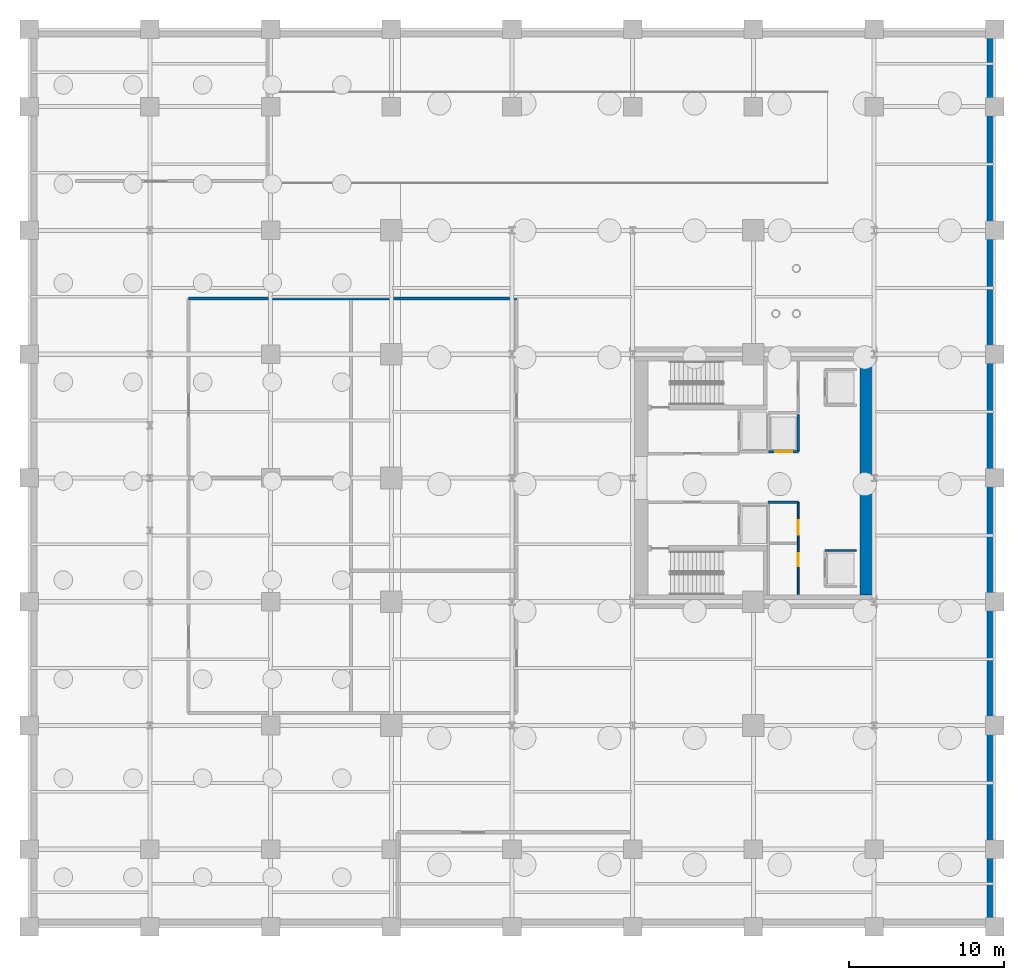
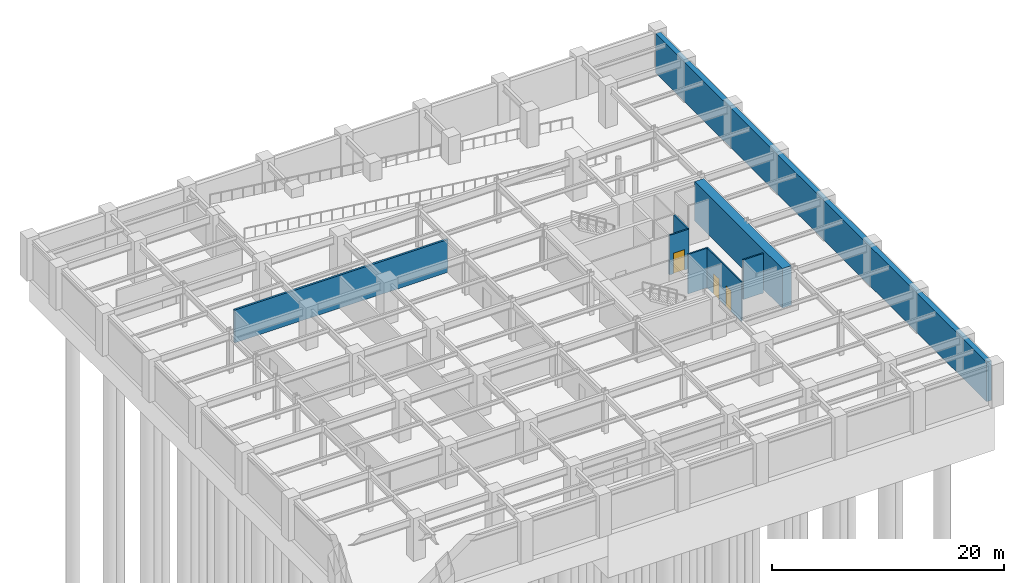
# One storey, part 6 of 10: 8 walls, 3 doors, 3 openings.
"""IFC4 building model written with IfcOpenShell, lengths in metres."""

from ifc_helpers import new_model, si_unit, direction, frame, frame_2d, origin, place, context, subcontext, project, spatial, rectangle, extrude, material, layer, layer_set, type_object, element, fill, save


model = new_model("IFC4")

# Units and contexts
model_context = context("Model", 3, precision=1e-05, world=origin(), true_north=direction((0.0, 1.0)))
body_context = subcontext(model_context, "Body", "Model", "MODEL_VIEW")
ifc_project = project(units=[si_unit("LENGTHUNIT", "METRE"), si_unit("AREAUNIT", "SQUARE_METRE"), si_unit("VOLUMEUNIT", "CUBIC_METRE"), si_unit("PLANEANGLEUNIT", "RADIAN"), si_unit("MASSUNIT", "GRAM", prefix="KILO")], contexts=[model_context])

# Site, building, storey
site_placement = place(None, origin())
site = spatial("IfcSite", under=ifc_project, at=site_placement, CompositionType="ELEMENT")
building_placement = place(site_placement, origin())
building = spatial("IfcBuilding", under=site, at=building_placement, Name="Veymaron Broadcast Tower", CompositionType="ELEMENT")
storey_placement = place(building_placement, frame((0.0, 0.0, -9.0)))
storey = spatial("IfcBuildingStorey", under=building, at=storey_placement, Name="B2", CompositionType="ELEMENT", Elevation=-9.0)

# Wall
ifc_material_1 = material(Name="Concrete C40/50", Category="concrete")
ifc_layer_1 = layer(ifc_material_1, 0.199951171875)
ifc_layer_set_1 = layer_set([ifc_layer_1], Name="Concrete C40/50")
wall_type_1 = type_object("IfcWallType", Name="WALL-BLK-200", PredefinedType="SOLIDWALL", material=ifc_layer_set_1)
wall_1_placement = place(storey_placement, frame((10.300048828125, 35.60009765625, 0.0), z_axis=(0.0, 0.0, 1.0), x_axis=(1.0, 0.0, 0.0)))
element("IfcWall", 1, at=wall_1_placement, inside=storey, type_object=wall_type_1, Name="B2 partition IW-B2-PL-N", PredefinedType="SOLIDWALL", context=body_context, shape_type="SweptSolid", body=[
    extrude(rectangle(XDim=21.199951171875, YDim=0.199951171875, at=frame_2d((10.60009765625, 0.0))), origin(), (0.0, 0.0, 1.0), 3.445068359375),
])

# Wall, opening, door
ifc_material_2 = material(Name="Gypsum fireboard and steel stud framing", Category="steel")
ifc_layer_2 = layer(ifc_material_2, 0.14990234375)
ifc_layer_set_2 = layer_set([ifc_layer_2], Name="Gypsum fireboard and steel stud framing")
wall_type_2 = type_object("IfcWallType", Name="WALL-FIRE-150", PredefinedType="PARTITIONING", material=ifc_layer_set_2)
wall_2_placement = place(storey_placement, frame((47.7900390625, 25.695068359375, 0.0), z_axis=(0.0, 0.0, 1.0), x_axis=(1.0, 0.0, 0.0)))
wall_2 = element("IfcWall", 2, at=wall_2_placement, inside=storey, type_object=wall_type_2, Name="B2 partition IW-B2-SHS-SL-1", PredefinedType="PARTITIONING", context=body_context, shape_type="SweptSolid", body=[
    extrude(rectangle(XDim=1.919921875, YDim=0.14990234375, at=frame_2d((0.9599609375, 0.0))), origin(), (0.0, 0.0, 1.0), 4.14990234375),
])
opening_1_placement = place(wall_2_placement, frame((0.409912109375, 0.0, 0.0)))
opening_1 = element("IfcOpeningElement", 3, at=opening_1_placement, cuts=wall_2, Name="Opening LD", PredefinedType="OPENING", context=body_context, shape_type="SweptSolid", body=[
    extrude(rectangle(XDim=1.10009765625, YDim=2.14990234375, at=frame_2d((0.550048828125, 1.074951171875))), frame((0.0, 0.0849609375, 0.0), z_axis=(0.0, -1.0, 0.0), x_axis=(1.0, 0.0, 0.0)), (0.0, 0.0, 1.0), 0.169921875),
])
ifc_material_3 = material(Name="Brushed stainless steel AISI 304", Category="steel")
door_type_1 = type_object("IfcDoorType", Name="DOOR-LIFT-1100", OperationType="DOUBLE_DOOR_SLIDING", PredefinedType="DOOR", material=ifc_material_3)
door_1_placement = place(opening_1_placement, frame((1.10009765625, 0.0, 0.0), z_axis=(0.0, 0.0, 1.0), x_axis=(-1.0, 0.0, 0.0)))
door_1 = element("IfcDoor", 4, at=door_1_placement, inside=storey, type_object=door_type_1, Name="B2 door LD-B2-SL-1", OperationType="DOUBLE_DOOR_SLIDING", OverallHeight=2.14990234375, OverallWidth=1.10009765625, PredefinedType="DOOR", context=body_context, shape_type="SweptSolid", body=[
    extrude(rectangle(XDim=1.10009765625, YDim=2.14990234375, at=frame_2d((0.550048828125, 1.074951171875))), frame((0.0, 0.02490234375, 0.0), z_axis=(0.0, -1.0, 0.0), x_axis=(1.0, 0.0, 0.0)), (0.0, 0.0, 1.0), 0.050048828125),
])
fill(opening_1, door_1)

# Walls
wall_3_placement = place(storey_placement, frame((49.7099609375, 25.695068359375, 0.0), z_axis=(0.0, 0.0, 1.0), x_axis=(0.0, 1.0, 0.0)))
element("IfcWall", 5, at=wall_3_placement, inside=storey, type_object=wall_type_2, Name="B2 partition IW-B2-SHE-SL-1", PredefinedType="PARTITIONING", context=body_context, shape_type="SweptSolid", body=[
    extrude(rectangle(XDim=2.4150390625, YDim=0.14990234375, at=frame_2d((1.20751953125, 0.0))), origin(), (0.0, 0.0, 1.0), 4.14990234375),
])
wall_4_placement = place(storey_placement, frame((51.445068359375, 19.31005859375, 0.0), z_axis=(0.0, 0.0, 1.0), x_axis=(1.0, 0.0, 0.0)))
element("IfcWall", 6, at=wall_4_placement, inside=storey, type_object=wall_type_2, Name="B2 partition IW-B2-SHN-PH1", PredefinedType="PARTITIONING", context=body_context, shape_type="SweptSolid", body=[
    extrude(rectangle(XDim=2.014892578125, YDim=0.14990234375, at=frame_2d((1.00732421875, 0.0))), origin(), (0.0, 0.0, 1.0), 4.14990234375),
])
wall_5_placement = place(storey_placement, frame((47.760009765625, 22.425048828125, 0.0), z_axis=(0.0, 0.0, 1.0), x_axis=(1.0, 0.0, 0.0)))
element("IfcWall", 7, at=wall_5_placement, inside=storey, type_object=wall_type_2, Name="B2 partition IW-B2-SM-N", PredefinedType="PARTITIONING", context=body_context, shape_type="SweptSolid", body=[
    extrude(rectangle(XDim=1.9599609375, YDim=0.14990234375, at=frame_2d((0.97998046875, 0.0))), origin(), (0.0, 0.0, 1.0), 4.14990234375),
])

# Wall, openings, doors
ifc_material_4 = material(Name="Acoustic gypsum board and galvanized stud", Category="gypsum")
ifc_layer_3 = layer(ifc_material_4, 0.1201171875)
ifc_layer_set_3 = layer_set([ifc_layer_3], Name="Acoustic gypsum board and galvanized stud")
wall_type_3 = type_object("IfcWallType", Name="WALL-PART-120", PredefinedType="PARTITIONING", material=ifc_layer_set_3)
wall_6_placement = place(storey_placement, frame((49.699951171875, 16.47998046875, 0.0), z_axis=(0.0, 0.0, 1.0), x_axis=(0.0, 1.0, 0.0)))
wall_6 = element("IfcWall", 8, at=wall_6_placement, inside=storey, type_object=wall_type_3, Name="B2 partition IW-B2-SM-E", PredefinedType="PARTITIONING", context=body_context, shape_type="SweptSolid", body=[
    extrude(rectangle(XDim=5.945068359375, YDim=0.1201171875, at=frame_2d((2.97265625, 0.0))), origin(), (0.0, 0.0, 1.0), 4.14990234375),
])
opening_2_placement = place(wall_6_placement, frame((1.800048828125, 0.0, 0.0)))
opening_2 = element("IfcOpeningElement", 9, at=opening_2_placement, cuts=wall_6, Name="Opening ID-WC1", PredefinedType="OPENING", context=body_context, shape_type="SweptSolid", body=[
    extrude(rectangle(XDim=0.85009765625, YDim=2.14990234375, at=frame_2d((0.425048828125, 1.074951171875))), frame((0.0, 0.070068359375, 0.0), z_axis=(0.0, -1.0, 0.0), x_axis=(1.0, 0.0, 0.0)), (0.0, 0.0, 1.0), 0.14013671875),
])
opening_3_placement = place(wall_6_placement, frame((3.85009765625, 0.0, 0.0)))
opening_3 = element("IfcOpeningElement", 10, at=opening_3_placement, cuts=wall_6, Name="Opening ID-RM1", PredefinedType="OPENING", context=body_context, shape_type="SweptSolid", body=[
    extrude(rectangle(XDim=0.949951171875, YDim=2.14990234375, at=frame_2d((0.47509765625, 1.074951171875))), frame((0.0, 0.070068359375, 0.0), z_axis=(0.0, -1.0, 0.0), x_axis=(1.0, 0.0, 0.0)), (0.0, 0.0, 1.0), 0.14013671875),
])
ifc_material_5 = material(Name="Moisture-resistant high-pressure laminate timber", Category="wood")
door_type_2 = type_object("IfcDoorType", Name="DOOR-INT-850", OperationType="NOTDEFINED", PredefinedType="DOOR", material=ifc_material_5)
door_2_placement = place(opening_2_placement, frame((0.85009765625, 0.0, 0.0), z_axis=(0.0, 0.0, 1.0), x_axis=(-1.0, 0.0, 0.0)))
door_2 = element("IfcDoor", 11, at=door_2_placement, inside=storey, type_object=door_type_2, Name="B2 door DR-B2-SWC", OperationType="SINGLE_SWING_LEFT", OverallHeight=2.14990234375, OverallWidth=0.85009765625, PredefinedType="DOOR", context=body_context, shape_type="SweptSolid", body=[
    extrude(rectangle(XDim=0.85009765625, YDim=2.14990234375, at=frame_2d((0.425048828125, 1.074951171875))), frame((0.0, 0.02490234375, 0.0), z_axis=(0.0, -1.0, 0.0), x_axis=(1.0, 0.0, 0.0)), (0.0, 0.0, 1.0), 0.050048828125),
])
fill(opening_2, door_2)
ifc_material_6 = material(Name="Acoustic solid-core European oak veneer timber", Category="wood")
door_type_3 = type_object("IfcDoorType", Name="DOOR-INT-950", OperationType="NOTDEFINED", PredefinedType="DOOR", material=ifc_material_6)
door_3_placement = place(opening_3_placement, frame((0.949951171875, 0.0, 0.0), z_axis=(0.0, 0.0, 1.0), x_axis=(-1.0, 0.0, 0.0)))
door_3 = element("IfcDoor", 12, at=door_3_placement, inside=storey, type_object=door_type_3, Name="B2 door DR-B2-AWC", OperationType="SINGLE_SWING_RIGHT", OverallHeight=2.14990234375, OverallWidth=0.949951171875, PredefinedType="DOOR", context=body_context, shape_type="SweptSolid", body=[
    extrude(rectangle(XDim=0.949951171875, YDim=2.14990234375, at=frame_2d((0.47509765625, 1.074951171875))), frame((0.0, 0.02490234375, 0.0), z_axis=(0.0, -1.0, 0.0), x_axis=(1.0, 0.0, 0.0)), (0.0, 0.0, 1.0), 0.050048828125),
])
fill(opening_3, door_3)

# Walls
ifc_material_7 = material(Name="Concrete C50/60", Category="concrete")
ifc_layer_4 = layer(ifc_material_7, 0.5)
ifc_layer_set_4 = layer_set([ifc_layer_4], Name="Concrete C50/60")
wall_type_4 = type_object("IfcWallType", Name="WALL-RET-500", PredefinedType="USERDEFINED", material=ifc_layer_set_4)
wall_7_placement = place(storey_placement, frame((62.14990234375, -4.5, 0.0), z_axis=(0.0, 0.0, 1.0), x_axis=(0.0, 1.0, 0.0)))
element("IfcWall", 13, at=wall_7_placement, inside=storey, type_object=wall_type_4, Name="B2 retaining wall E", ObjectType="RETAININGWALL", PredefinedType="USERDEFINED", context=body_context, shape_type="SweptSolid", body=[
    extrude(rectangle(XDim=57.0, YDim=0.5, at=frame_2d((28.5, 0.0))), origin(), (0.0, 0.0, 1.0), 4.14990234375),
])
ifc_material_8 = material(Name="Concrete C70/85", Category="concrete")
ifc_layer_5 = layer(ifc_material_8, 0.89990234375)
ifc_layer_set_5 = layer_set([ifc_layer_5], Name="Concrete C70/85")
wall_type_5 = type_object("IfcWallType", Name="WALL-SHEAR-900", PredefinedType="SHEAR", material=ifc_layer_set_5)
wall_8_placement = place(storey_placement, frame((54.14990234375, 16.449951171875, 0.0), z_axis=(0.0, 0.0, 1.0), x_axis=(0.0, 1.0, 0.0)))
element("IfcWall", 14, at=wall_8_placement, inside=storey, type_object=wall_type_5, Name="B2 Core Wall east shear", PredefinedType="SHEAR", context=body_context, shape_type="SweptSolid", body=[
    extrude(rectangle(XDim=15.10009765625, YDim=0.89990234375, at=frame_2d((7.550048828125, 0.0))), origin(), (0.0, 0.0, 1.0), 4.14990234375),
])

save(model, "model.ifc")
